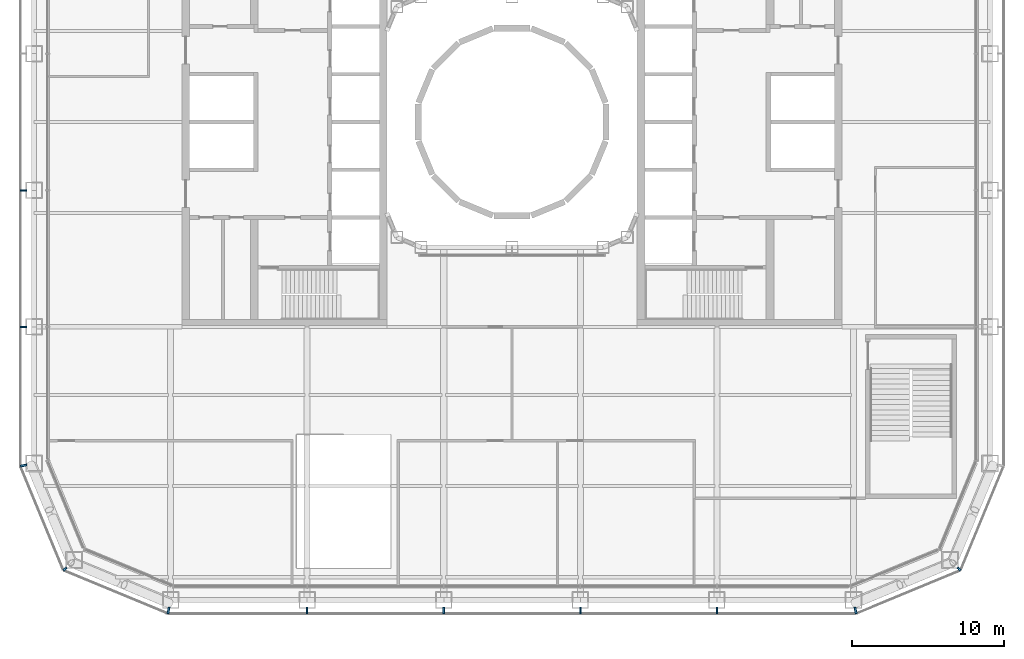
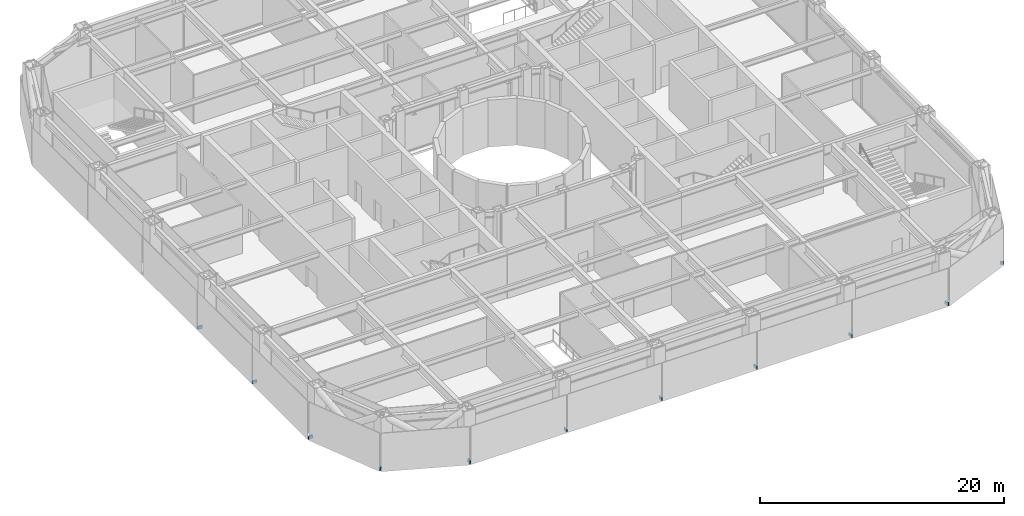
# One storey, part 16 of 24: 11 discrete accessories.
"""IFC4 building model written with IfcOpenShell, lengths in metres."""

from ifc_helpers import new_model, si_unit, direction, frame, origin, origin_2d, place, context, subcontext, project, spatial, rectangle, extrude, material, type_object, element, save


model = new_model("IFC4")

# Units and contexts
model_context = context("Model", 3, precision=1e-05, world=origin(), true_north=direction((0.0, 1.0)))
body_context = subcontext(model_context, "Body", "Model", "MODEL_VIEW")
ifc_project = project(units=[si_unit("LENGTHUNIT", "METRE"), si_unit("AREAUNIT", "SQUARE_METRE"), si_unit("VOLUMEUNIT", "CUBIC_METRE"), si_unit("PLANEANGLEUNIT", "RADIAN"), si_unit("MASSUNIT", "GRAM", prefix="KILO")], contexts=[model_context])

# Site, building, storey
site_placement = place(None, origin())
site = spatial("IfcSite", under=ifc_project, at=site_placement, CompositionType="ELEMENT")
building_placement = place(site_placement, origin())
building = spatial("IfcBuilding", under=site, at=building_placement, Name="Siwar Civic Tower", CompositionType="ELEMENT")
storey_placement = place(building_placement, frame((0.0, 0.0, 12.199951171875)))
storey = spatial("IfcBuildingStorey", under=building, at=storey_placement, Name="L02", CompositionType="ELEMENT", Elevation=12.199951171875)

# Discrete accessories
ifc_material = material(Name="Stainless steel 316", Category="steel")
discrete_accessory_type = type_object("IfcDiscreteAccessoryType", Name="ENV-BRACKET", PredefinedType="BRACKET", material=ifc_material)
for number, where, z_axis, x_axis, name in (
    (1, (-13.5, -32.18994140625, -0.14990234375), (0.0, 0.0, 1.0), (0.0, -1.0, 0.0), "Bracket outer skin joint S-01"),
    (2, (-4.5, -32.18994140625, -0.14990234375), (0.0, 0.0, 1.0), (0.0, -1.0, 0.0), "Bracket outer skin joint S-02"),
    (3, (4.5, -32.18994140625, -0.14990234375), (0.0, 0.0, 1.0), (0.0, -1.0, 0.0), "Bracket outer skin joint S-03"),
    (4, (13.5, -32.18994140625, -0.14990234375), (0.0, 0.0, 1.0), (0.0, -1.0, 0.0), "Bracket outer skin joint S-04"),
):
    element("IfcDiscreteAccessory", number, at=place(storey_placement, frame(where, z_axis=z_axis, x_axis=x_axis)), inside=storey, type_object=discrete_accessory_type, Name=name, PredefinedType="BRACKET", context=body_context, shape_type="SweptSolid", body=[
        extrude(rectangle(XDim=0.419921875, YDim=0.10009765625, at=origin_2d()), origin(), (0.0, 0.0, 1.0), 0.300048828125),
    ])
for number, where, z_axis, x_axis, name in (
    (5, (-22.63720703125, -32.190185546875, -0.14990234375), (0.0, 0.0, 1.0), (-0.195090322016, -0.980785280403, 0.0), "Bracket outer skin joint V00"),
    (6, (22.63720703125, -32.190185546875, -0.14990234375), (0.0, 0.0, 1.0), (0.195090322016, -0.980785280403, 0.0), "Bracket outer skin joint V01"),
):
    element("IfcDiscreteAccessory", number, at=place(storey_placement, frame(where, z_axis=z_axis, x_axis=x_axis)), inside=storey, type_object=discrete_accessory_type, Name=name, PredefinedType="BRACKET", context=body_context, shape_type="SweptSolid", body=[
        extrude(rectangle(XDim=0.427734375, YDim=0.13720703125, at=origin_2d()), origin(), (0.0, 0.0, 1.0), 0.300048828125),
    ])
discrete_accessory_1_placement = place(storey_placement, frame((29.451416015625, -29.451416015625, -0.14990234375), z_axis=(0.0, 0.0, 1.0), x_axis=(0.707106781187, -0.707106781187, 0.0)))
element("IfcDiscreteAccessory", 7, at=discrete_accessory_1_placement, inside=storey, type_object=discrete_accessory_type, Name="Bracket outer skin joint V02", PredefinedType="BRACKET", context=body_context, shape_type="SweptSolid", body=[
    extrude(rectangle(XDim=0.287109375, YDim=0.12939453125, at=origin_2d()), origin(), (0.0, 0.0, 1.0), 0.300048828125),
])
discrete_accessory_2_placement = place(storey_placement, frame((-32.190185546875, -22.63720703125, -0.14990234375), z_axis=(0.0, 0.0, 1.0), x_axis=(-0.980785280403, -0.195090322016, 0.0)))
element("IfcDiscreteAccessory", 8, at=discrete_accessory_2_placement, inside=storey, type_object=discrete_accessory_type, Name="Bracket outer skin joint V10", PredefinedType="BRACKET", context=body_context, shape_type="SweptSolid", body=[
    extrude(rectangle(XDim=0.427734375, YDim=0.13720703125, at=origin_2d()), origin(), (0.0, 0.0, 1.0), 0.300048828125),
])
discrete_accessory_3_placement = place(storey_placement, frame((-29.451416015625, -29.451416015625, -0.14990234375), z_axis=(0.0, 0.0, 1.0), x_axis=(-0.707106781187, -0.707106781187, 0.0)))
element("IfcDiscreteAccessory", 9, at=discrete_accessory_3_placement, inside=storey, type_object=discrete_accessory_type, Name="Bracket outer skin joint V11", PredefinedType="BRACKET", context=body_context, shape_type="SweptSolid", body=[
    extrude(rectangle(XDim=0.287109375, YDim=0.12939453125, at=origin_2d()), origin(), (0.0, 0.0, 1.0), 0.300048828125),
])
for number, where, z_axis, x_axis, name in (
    (10, (-32.18994140625, -4.5, -0.14990234375), (0.0, 0.0, 1.0), (-1.0, 0.0, 0.0), "Bracket outer skin joint W-03"),
    (11, (-32.18994140625, -13.5, -0.14990234375), (0.0, 0.0, 1.0), (-1.0, 0.0, 0.0), "Bracket outer skin joint W-04"),
):
    element("IfcDiscreteAccessory", number, at=place(storey_placement, frame(where, z_axis=z_axis, x_axis=x_axis)), inside=storey, type_object=discrete_accessory_type, Name=name, PredefinedType="BRACKET", context=body_context, shape_type="SweptSolid", body=[
        extrude(rectangle(XDim=0.419921875, YDim=0.10009765625, at=origin_2d()), origin(), (0.0, 0.0, 1.0), 0.300048828125),
    ])

save(model, "model.ifc")
